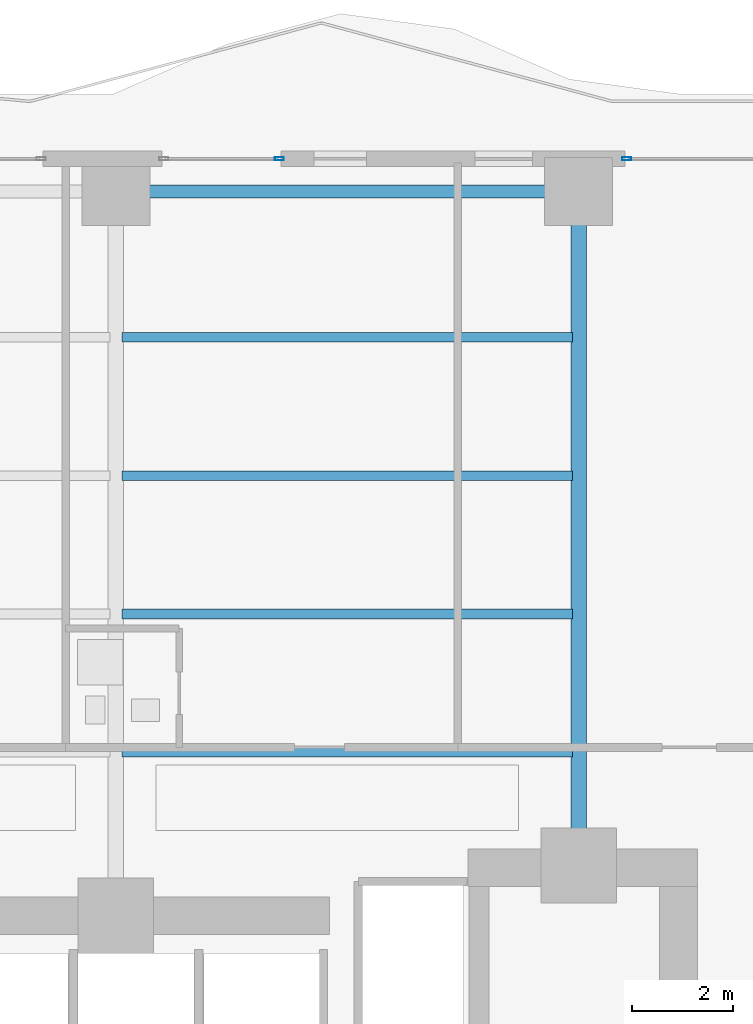
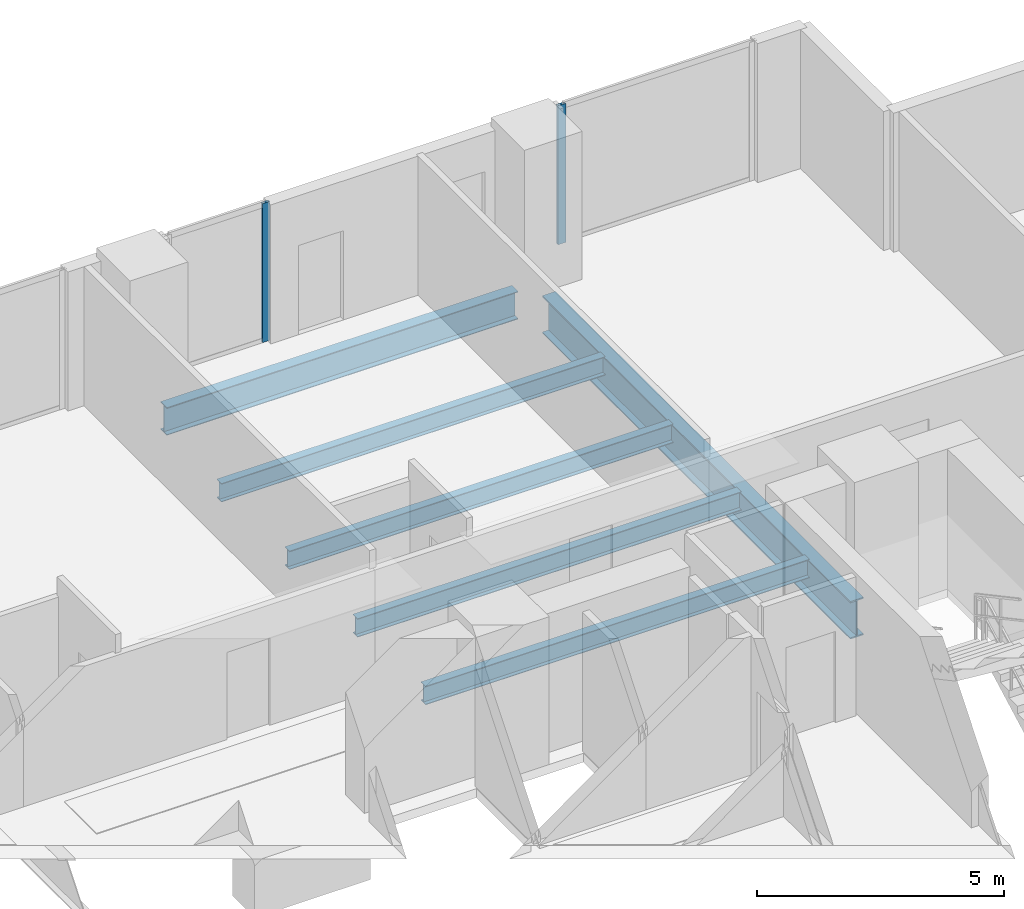
# One storey, part 17 of 27: 6 beams, 2 members, 2 elements without a shape of their own.
"""IFC4 building model written with IfcOpenShell, lengths in metres."""

from ifc_helpers import new_model, si_unit, direction, frame, origin, origin_2d, place, context, subcontext, project, spatial, hollow_rectangle, i_section, extrude, material, layer, layer_set, material_profile, profile_set, type_object, element, aggregate, save


model = new_model("IFC4")

# Units and contexts
model_context = context("Model", 3, precision=1e-05, world=origin(), true_north=direction((0.0, 1.0)))
body_context = subcontext(model_context, "Body", "Model", "MODEL_VIEW")
ifc_project = project(units=[si_unit("LENGTHUNIT", "METRE"), si_unit("AREAUNIT", "SQUARE_METRE"), si_unit("VOLUMEUNIT", "CUBIC_METRE"), si_unit("PLANEANGLEUNIT", "RADIAN"), si_unit("MASSUNIT", "GRAM", prefix="KILO")], contexts=[model_context])

# Site, building, storey
site_placement = place(None, origin())
site = spatial("IfcSite", under=ifc_project, at=site_placement, CompositionType="ELEMENT")
building_placement = place(site_placement, origin())
building = spatial("IfcBuilding", under=site, at=building_placement, Name="Zuhayl Quay Hotel", CompositionType="ELEMENT")
storey_placement = place(building_placement, frame((0.0, 0.0, 117.550048828125)))
storey = spatial("IfcBuildingStorey", under=building, at=storey_placement, Name="L29", CompositionType="ELEMENT", Elevation=117.550048828125)

# Beams
ifc_material_1 = material(Name="Steel ASTM A992 Grade 50", Category="steel")
ifc_material_profile_1 = material_profile(ifc_material_1, i_section(OverallWidth=0.25390625, OverallDepth=0.68310546875, WebThickness=0.012451171875, FlangeThickness=0.018798828125, at=origin_2d()), Name="W27X94")
ifc_profile_set_1 = profile_set([ifc_material_profile_1], Name="Steel ASTM A992 Grade 50")
beam_type_1 = type_object("IfcBeamType", Name="BM_B2_W27X94", PredefinedType="BEAM", material=ifc_profile_set_1)
beam_1_placement = place(storey_placement, frame((13.300048828125, 27.75, -0.5615234375), z_axis=(-1.0, 0.0, 0.0), x_axis=(0.0, -1.0, 0.0)))
element("IfcBeam", 1, at=beam_1_placement, inside=storey, type_object=beam_type_1, Name="L29 Floor Beam RG_L29_07", PredefinedType="BEAM", context=body_context, shape_type="SweptSolid", body=[
    extrude(i_section(OverallWidth=0.25390625, OverallDepth=0.68310546875, WebThickness=0.012451171875, FlangeThickness=0.018798828125, at=origin_2d()), origin(), (0.0, 0.0, 1.0), 8.199951171875),
])
ifc_material_profile_2 = material_profile(ifc_material_1, i_section(OverallWidth=0.18994140625, OverallDepth=0.45703125, WebThickness=0.009033203125, FlangeThickness=0.014404296875, at=origin_2d()), Name="W18X50")
ifc_profile_set_2 = profile_set([ifc_material_profile_2], Name="Steel ASTM A992 Grade 50")
beam_type_2 = type_object("IfcBeamType", Name="BM_J2_W18X50", PredefinedType="JOIST", material=ifc_profile_set_2)
for number, where, z_axis, x_axis, name in (
    (2, (4.718994140625, 16.60009765625, -0.448486328125), (1.0, 0.0, 0.0), (0.0, 1.0, 0.0), "L29 Floor Beam FJ_L29_1_3"),
    (3, (4.718994140625, 19.35009765625, -0.448486328125), (1.0, 0.0, 0.0), (0.0, 1.0, 0.0), "L29 Floor Beam FJ_L29_2_3"),
    (4, (4.718994140625, 22.10009765625, -0.448486328125), (1.0, 0.0, 0.0), (0.0, 1.0, 0.0), "L29 Floor Beam FJ_L29_3_3"),
    (5, (4.718994140625, 24.85009765625, -0.448486328125), (1.0, 0.0, 0.0), (0.0, 1.0, 0.0), "L29 Floor Beam FJ_L29_4_3"),
):
    element("IfcBeam", number, at=place(storey_placement, frame(where, z_axis=z_axis, x_axis=x_axis)), inside=storey, type_object=beam_type_2, Name=name, PredefinedType="JOIST", context=body_context, shape_type="SweptSolid", body=[
        extrude(i_section(OverallWidth=0.18994140625, OverallDepth=0.45703125, WebThickness=0.009033203125, FlangeThickness=0.014404296875, at=origin_2d()), origin(), (0.0, 0.0, 1.0), 8.9619140625),
    ])
ifc_material_profile_3 = material_profile(ifc_material_1, i_section(OverallWidth=0.306884765625, OverallDepth=0.927001953125, WebThickness=0.019287109375, FlangeThickness=0.031982421875, at=origin_2d()), Name="W36X194")
ifc_profile_set_3 = profile_set([ifc_material_profile_3], Name="Steel ASTM A992 Grade 50")
beam_type_3 = type_object("IfcBeamType", Name="BM_PG2_W36X194", PredefinedType="BEAM", material=ifc_profile_set_3)
beam_2_placement = place(storey_placement, frame((13.800048828125, 14.800048828125, -0.68359375), z_axis=(0.0, 1.0, 0.0), x_axis=(-1.0, 0.0, 0.0)))
element("IfcBeam", 6, at=beam_2_placement, inside=storey, type_object=beam_type_3, Name="L29 Floor Beam FG_N_L29_4", PredefinedType="BEAM", context=body_context, shape_type="SweptSolid", body=[
    extrude(i_section(OverallWidth=0.306884765625, OverallDepth=0.927001953125, WebThickness=0.019287109375, FlangeThickness=0.031982421875, at=origin_2d()), origin(), (0.0, 0.0, 1.0), 12.449951171875),
])

# Curtain wall, member
ifc_material_2 = material(Name="Anodised Aluminium 6063-T6", Category="aluminium")
ifc_layer = layer(ifc_material_2, 0.179931640625, Name="Anodised Aluminium 6063-T6", Category="aluminium")
ifc_layer_set = layer_set([ifc_layer], Name="Anodised Aluminium 6063-T6")
curtain_wall_type = type_object("IfcCurtainWallType", Name="CW_SYS_Z2", PredefinedType="USERDEFINED", material=ifc_layer_set)
curtain_wall_1_placement = place(storey_placement, origin())
curtain_wall_1 = element("IfcCurtainWall", 7, at=curtain_wall_1_placement, inside=storey, type_object=curtain_wall_type, Name="L29 Curtain Wall ENV_L29_N_CW3", ObjectType="UNITISED CURTAIN WALL", PredefinedType="USERDEFINED")
ifc_material_3 = material(Name="Black-anodised aluminium 6063-T6", Category="aluminium")
ifc_material_profile_4 = material_profile(ifc_material_3, hollow_rectangle(XDim=0.06494140625, YDim=0.179931640625, WallThickness=0.00341796875, at=origin_2d()), Name="ALU180X65")
ifc_profile_set_4 = profile_set([ifc_material_profile_4], Name="Black-anodised aluminium 6063-T6")
member_type = type_object("IfcMemberType", Name="MB_CW_MUL_180", PredefinedType="MULLION", material=ifc_profile_set_4)
member_1_placement = place(storey_placement, frame((7.8525390625, 28.39990234375, 0.0), z_axis=(0.0, 0.0, 1.0), x_axis=(0.0, 1.0, 0.0)))
member_1 = element("IfcMember", 8, at=member_1_placement, type_object=member_type, Name="CW-Z2 mullion 2", PredefinedType="MULLION", context=body_context, shape_type="SweptSolid", body=[
    extrude(hollow_rectangle(XDim=0.06494140625, YDim=0.179931640625, WallThickness=0.00341796875, at=origin_2d()), origin(), (0.0, 0.0, 1.0), 3.429931640625),
])
aggregate(curtain_wall_1, [member_1])

curtain_wall_2_placement = place(storey_placement, origin())
curtain_wall_2 = element("IfcCurtainWall", 9, at=curtain_wall_2_placement, inside=storey, type_object=curtain_wall_type, Name="L29 Curtain Wall ENV_L29_N_CW4", ObjectType="UNITISED CURTAIN WALL", PredefinedType="USERDEFINED")
member_2_placement = place(storey_placement, frame((14.75244140625, 28.39990234375, 0.0), z_axis=(0.0, 0.0, 1.0), x_axis=(0.0, 1.0, 0.0)))
member_2 = element("IfcMember", 10, at=member_2_placement, type_object=member_type, Name="CW-Z2 mullion 1", PredefinedType="MULLION", context=body_context, shape_type="SweptSolid", body=[
    extrude(hollow_rectangle(XDim=0.06494140625, YDim=0.179931640625, WallThickness=0.00341796875, at=origin_2d()), origin(), (0.0, 0.0, 1.0), 3.429931640625),
])
aggregate(curtain_wall_2, [member_2])

save(model, "model.ifc")
